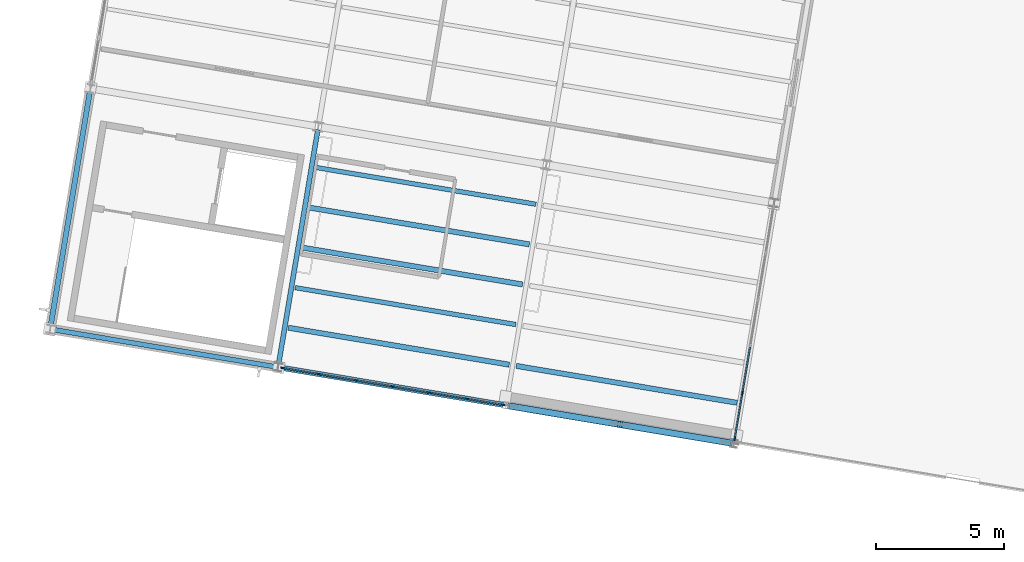
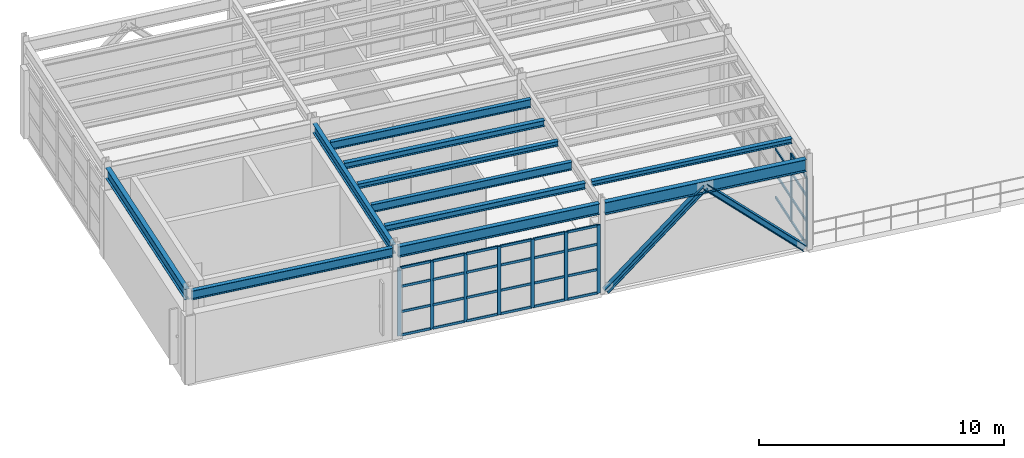
# One storey, part 23 of 59: 42 members, 11 beams, 2 elements without a shape of their own.
"""IFC4 building model written with IfcOpenShell, lengths in metres."""

from ifc_helpers import new_model, si_unit, direction, frame, origin, origin_2d, place, context, subcontext, project, spatial, rectangle, i_section, extrude, material, layer, layer_set, material_profile, profile_set, type_object, element, aggregate, save


model = new_model("IFC4")

# Units and contexts
model_context = context("Model", 3, precision=1e-05, world=origin(), true_north=direction((0.0, 1.0)))
body_context = subcontext(model_context, "Body", "Model", "MODEL_VIEW")
ifc_project = project(units=[si_unit("LENGTHUNIT", "METRE"), si_unit("AREAUNIT", "SQUARE_METRE"), si_unit("VOLUMEUNIT", "CUBIC_METRE"), si_unit("PLANEANGLEUNIT", "RADIAN"), si_unit("MASSUNIT", "GRAM", prefix="KILO")], contexts=[model_context])

# Site, building, storey
site_placement = place(None, origin())
site = spatial("IfcSite", under=ifc_project, at=site_placement, CompositionType="ELEMENT")
building_placement = place(site_placement, origin())
building = spatial("IfcBuilding", under=site, at=building_placement, Name="Vireo Bluff Cable Station", CompositionType="ELEMENT")
storey_placement = place(building_placement, frame((0.0, 0.0, 14.39990234375)))
storey = spatial("IfcBuildingStorey", under=building, at=storey_placement, Name="L03", CompositionType="ELEMENT", Elevation=14.39990234375)

# Beam
ifc_material_1 = material(Name="Steel ASTM A992 Gr. 50", Category="steel")
ifc_material_profile_1 = material_profile(ifc_material_1, i_section(OverallWidth=0.19091796875, OverallDepth=0.45703125, WebThickness=0.009033203125, FlangeThickness=0.014404296875, FilletRadius=0.011962890625, at=origin_2d()), Name="W18X50")
ifc_profile_set_1 = profile_set([ifc_material_profile_1], Name="Steel ASTM A992 Gr. 50")
beam_type_1 = type_object("IfcBeamType", Name="BM-W18X50", PredefinedType="BEAM", material=ifc_profile_set_1)
beam_1_placement = place(storey_placement, frame((15.96435546875, 79.502685546875, 4.271484375), z_axis=(0.165044536891, 0.986286115102, 0.0), x_axis=(-0.986286115102, 0.165044536891, 0.0)))
element("IfcBeam", 1, at=beam_1_placement, inside=storey, type_object=beam_type_1, Name="V4 L03 beam 1059", PredefinedType="BEAM", context=body_context, shape_type="SweptSolid", body=[
    extrude(i_section(OverallWidth=0.19091796875, OverallDepth=0.45703125, WebThickness=0.009033203125, FlangeThickness=0.014404296875, FilletRadius=0.011962890625, at=origin_2d()), origin(), (0.0, 0.0, 1.0), 9.260009765625),
])

# Members
ifc_material_profile_2 = material_profile(ifc_material_1, i_section(OverallWidth=0.2548828125, OverallDepth=0.256103515625, WebThickness=0.009521484375, FlangeThickness=0.015625, FilletRadius=0.009033203125, at=origin_2d()), Name="W10X54")
ifc_profile_set_2 = profile_set([ifc_material_profile_2], Name="Steel ASTM A992 Gr. 50")
member_type_1 = type_object("IfcMemberType", Name="BRC-02", PredefinedType="BRACE", material=ifc_profile_set_2)
member_1_placement = place(storey_placement, frame((24.97900390625, 77.87255859375, 0.0400390625), z_axis=(0.713630993831, -0.119426952766, 0.690266620659), x_axis=(0.16505578036, 0.98628423356, 0.0)))
element("IfcMember", 2, at=member_1_placement, inside=storey, type_object=member_type_1, Name="V4 L03 concentric brace 85L", PredefinedType="BRACE", context=body_context, shape_type="SweptSolid", body=[
    extrude(i_section(OverallWidth=0.2548828125, OverallDepth=0.256103515625, WebThickness=0.009521484375, FlangeThickness=0.015625, FilletRadius=0.009033203125, at=origin_2d()), origin(), (0.0, 0.0, 1.0), 5.997802734375),
])
ifc_material_profile_3 = material_profile(ifc_material_1, i_section(OverallWidth=0.257080078125, OverallDepth=0.263916015625, WebThickness=0.011962890625, FlangeThickness=0.01953125, FilletRadius=0.009033203125, at=origin_2d()), Name="W10X68")
ifc_profile_set_3 = profile_set([ifc_material_profile_3], Name="Steel ASTM A992 Gr. 50")
member_type_2 = type_object("IfcMemberType", Name="BRC-03", PredefinedType="BRACE", material=ifc_profile_set_3)
member_2_placement = place(storey_placement, frame((33.539794921875, 76.43994140625, 0.0400390625), z_axis=(-0.713650967905, 0.119423483707, 0.690246570109), x_axis=(-0.165046622801, -0.986285766044, 0.0)))
element("IfcMember", 3, at=member_2_placement, inside=storey, type_object=member_type_2, Name="V4 L03 concentric brace 86R", PredefinedType="BRACE", context=body_context, shape_type="SweptSolid", body=[
    extrude(i_section(OverallWidth=0.257080078125, OverallDepth=0.263916015625, WebThickness=0.011962890625, FlangeThickness=0.01953125, FilletRadius=0.009033203125, at=origin_2d()), origin(), (0.0, 0.0, 1.0), 5.998046875),
])

# Curtain wall, members
ifc_material_2 = material(Name="Anodized Aluminium 6063-T6", Category="aluminium")
ifc_layer_1 = layer(ifc_material_2, 0.179931640625, Name="Anodized Aluminium 6063-T6")
ifc_layer_set_1 = layer_set([ifc_layer_1], Name="Anodized Aluminium 6063-T6")
curtain_wall_type_1 = type_object("IfcCurtainWallType", Name="CW-UNIT-1500", PredefinedType="USERDEFINED", material=ifc_layer_set_1)
curtain_wall_1_placement = place(storey_placement, origin())
curtain_wall_1 = element("IfcCurtainWall", 4, at=curtain_wall_1_placement, inside=storey, type_object=curtain_wall_type_1, Name="V4 L03 south curtain wall CW-106", ObjectType="UNITISED CURTAIN WALL", PredefinedType="USERDEFINED")
ifc_material_profile_4 = material_profile(ifc_material_2, rectangle(XDim=0.06005859375, YDim=0.159912109375, at=origin_2d()), Name="ALU-M-60X160")
ifc_profile_set_4 = profile_set([ifc_material_profile_4], Name="Anodized Aluminium 6063-T6")
member_type_3 = type_object("IfcMemberType", Name="CWM-03", PredefinedType="MULLION", material=ifc_profile_set_4)
member_3_placement = place(storey_placement, frame((24.68896484375, 77.9208984375, 0.0), z_axis=(0.0, 0.0, 1.0), x_axis=(-0.165047656091, -0.986285593132, 0.0)))
member_3 = element("IfcMember", 5, at=member_3_placement, type_object=member_type_3, Name="CW-106 mullion 1", PredefinedType="MULLION", context=body_context, shape_type="SweptSolid", body=[
    extrude(rectangle(XDim=0.06005859375, YDim=0.159912109375, at=origin_2d()), origin(), (0.0, 0.0, 1.0), 3.400146484375),
])
member_4_placement = place(storey_placement, frame((23.281494140625, 78.156494140625, 0.0), z_axis=(0.0, 0.0, 1.0), x_axis=(-0.165047656091, -0.986285593132, 0.0)))
member_4 = element("IfcMember", 6, at=member_4_placement, type_object=member_type_3, Name="CW-106 mullion 2", PredefinedType="MULLION", context=body_context, shape_type="SweptSolid", body=[
    extrude(rectangle(XDim=0.06005859375, YDim=0.159912109375, at=origin_2d()), origin(), (0.0, 0.0, 1.0), 3.400146484375),
])
member_5_placement = place(storey_placement, frame((21.8447265625, 78.39697265625, 0.0), z_axis=(0.0, 0.0, 1.0), x_axis=(-0.165047656091, -0.986285593132, 0.0)))
member_5 = element("IfcMember", 7, at=member_5_placement, type_object=member_type_3, Name="CW-106 mullion 3", PredefinedType="MULLION", context=body_context, shape_type="SweptSolid", body=[
    extrude(rectangle(XDim=0.06005859375, YDim=0.159912109375, at=origin_2d()), origin(), (0.0, 0.0, 1.0), 3.400146484375),
])
member_6_placement = place(storey_placement, frame((20.40771484375, 78.637451171875, 0.0), z_axis=(0.0, 0.0, 1.0), x_axis=(-0.165047656091, -0.986285593132, 0.0)))
member_6 = element("IfcMember", 8, at=member_6_placement, type_object=member_type_3, Name="CW-106 mullion 4", PredefinedType="MULLION", context=body_context, shape_type="SweptSolid", body=[
    extrude(rectangle(XDim=0.06005859375, YDim=0.159912109375, at=origin_2d()), origin(), (0.0, 0.0, 1.0), 3.400146484375),
])
member_7_placement = place(storey_placement, frame((18.970703125, 78.8779296875, 0.0), z_axis=(0.0, 0.0, 1.0), x_axis=(-0.165047656091, -0.986285593132, 0.0)))
member_7 = element("IfcMember", 9, at=member_7_placement, type_object=member_type_3, Name="CW-106 mullion 5", PredefinedType="MULLION", context=body_context, shape_type="SweptSolid", body=[
    extrude(rectangle(XDim=0.06005859375, YDim=0.159912109375, at=origin_2d()), origin(), (0.0, 0.0, 1.0), 3.400146484375),
])
member_8_placement = place(storey_placement, frame((17.533935546875, 79.118408203125, 0.0), z_axis=(0.0, 0.0, 1.0), x_axis=(-0.165047656091, -0.986285593132, 0.0)))
member_8 = element("IfcMember", 10, at=member_8_placement, type_object=member_type_3, Name="CW-106 mullion 6", PredefinedType="MULLION", context=body_context, shape_type="SweptSolid", body=[
    extrude(rectangle(XDim=0.06005859375, YDim=0.159912109375, at=origin_2d()), origin(), (0.0, 0.0, 1.0), 3.400146484375),
])
member_9_placement = place(storey_placement, frame((16.12646484375, 79.353759765625, 0.0), z_axis=(0.0, 0.0, 1.0), x_axis=(-0.165047656091, -0.986285593132, 0.0)))
member_9 = element("IfcMember", 11, at=member_9_placement, type_object=member_type_3, Name="CW-106 mullion 7", PredefinedType="MULLION", context=body_context, shape_type="SweptSolid", body=[
    extrude(rectangle(XDim=0.06005859375, YDim=0.159912109375, at=origin_2d()), origin(), (0.0, 0.0, 1.0), 3.400146484375),
])

ifc_layer_2 = layer(ifc_material_2, 0.159912109375, Name="Anodized Aluminium 6063-T6")
ifc_layer_set_2 = layer_set([ifc_layer_2], Name="Anodized Aluminium 6063-T6")
curtain_wall_type_2 = type_object("IfcCurtainWallType", Name="CW-STICK-1750", PredefinedType="USERDEFINED", material=ifc_layer_set_2)
curtain_wall_2_placement = place(storey_placement, origin())
curtain_wall_2 = element("IfcCurtainWall", 12, at=curtain_wall_2_placement, inside=storey, type_object=curtain_wall_type_2, Name="V4 L03 east curtain wall CW-110", ObjectType="STICK CURTAIN WALL", PredefinedType="USERDEFINED")
member_10_placement = place(storey_placement, frame((34.026611328125, 78.37890625, 0.0), z_axis=(0.0, 0.0, 1.0), x_axis=(0.986285602456, -0.165047600369, 0.0)))
member_10 = element("IfcMember", 13, at=member_10_placement, type_object=member_type_3, Name="CW-110 mullion 5", PredefinedType="MULLION", context=body_context, shape_type="SweptSolid", body=[
    extrude(rectangle(XDim=0.06005859375, YDim=0.159912109375, at=origin_2d()), origin(), (0.0, 0.0, 1.0), 3.400146484375),
])
member_11_placement = place(storey_placement, frame((33.728271484375, 76.595947265625, 0.0), z_axis=(0.0, 0.0, 1.0), x_axis=(0.986285602456, -0.165047600369, 0.0)))
member_11 = element("IfcMember", 14, at=member_11_placement, type_object=member_type_3, Name="CW-110 mullion 6", PredefinedType="MULLION", context=body_context, shape_type="SweptSolid", body=[
    extrude(rectangle(XDim=0.06005859375, YDim=0.159912109375, at=origin_2d()), origin(), (0.0, 0.0, 1.0), 3.400146484375),
])

# Member
ifc_material_profile_5 = material_profile(ifc_material_2, rectangle(XDim=0.06005859375, YDim=0.1201171875, at=origin_2d()), Name="ALU-T-60X120")
ifc_profile_set_5 = profile_set([ifc_material_profile_5], Name="Anodized Aluminium 6063-T6")
member_type_4 = type_object("IfcMemberType", Name="CWT-03", PredefinedType="USERDEFINED", material=ifc_profile_set_5)
member_12_placement = place(storey_placement, frame((24.659423828125, 77.926025390625, 0.030029296875), z_axis=(-0.986287517142, 0.165036158247, 0.0), x_axis=(-0.165036158247, -0.986287517142, 0.0)))
member_12 = element("IfcMember", 15, at=member_12_placement, type_object=member_type_4, Name="CW-106 transom 1.1", ObjectType="TRANSOM", PredefinedType="USERDEFINED", context=body_context, shape_type="SweptSolid", body=[
    extrude(rectangle(XDim=0.06005859375, YDim=0.1201171875, at=origin_2d()), origin(), (0.0, 0.0, 1.0), 1.366943359375),
])

member_13_placement = place(storey_placement, frame((24.659423828125, 77.926025390625, 1.190185546875), z_axis=(-0.986287517142, 0.165036158247, 0.0), x_axis=(-0.165036158247, -0.986287517142, 0.0)))
member_13 = element("IfcMember", 16, at=member_13_placement, type_object=member_type_4, Name="CW-106 transom 1.2", ObjectType="TRANSOM", PredefinedType="USERDEFINED", context=body_context, shape_type="SweptSolid", body=[
    extrude(rectangle(XDim=0.06005859375, YDim=0.1201171875, at=origin_2d()), origin(), (0.0, 0.0, 1.0), 1.366943359375),
])

member_14_placement = place(storey_placement, frame((24.659423828125, 77.926025390625, 2.447998046875), z_axis=(-0.986287517142, 0.165036158247, 0.0), x_axis=(-0.165036158247, -0.986287517142, 0.0)))
member_14 = element("IfcMember", 17, at=member_14_placement, type_object=member_type_4, Name="CW-106 transom 1.3", ObjectType="TRANSOM", PredefinedType="USERDEFINED", context=body_context, shape_type="SweptSolid", body=[
    extrude(rectangle(XDim=0.06005859375, YDim=0.1201171875, at=origin_2d()), origin(), (0.0, 0.0, 1.0), 1.366943359375),
])

member_15_placement = place(storey_placement, frame((24.659423828125, 77.926025390625, 3.3701171875), z_axis=(-0.986287517142, 0.165036158247, 0.0), x_axis=(-0.165036158247, -0.986287517142, 0.0)))
member_15 = element("IfcMember", 18, at=member_15_placement, type_object=member_type_4, Name="CW-106 transom 1.4", ObjectType="TRANSOM", PredefinedType="USERDEFINED", context=body_context, shape_type="SweptSolid", body=[
    extrude(rectangle(XDim=0.06005859375, YDim=0.1201171875, at=origin_2d()), origin(), (0.0, 0.0, 1.0), 1.366943359375),
])

member_16_placement = place(storey_placement, frame((23.251953125, 78.161376953125, 0.030029296875), z_axis=(-0.986266087092, 0.165164177264, 0.0), x_axis=(-0.165164177264, -0.986266087092, 0.0)))
member_16 = element("IfcMember", 19, at=member_16_placement, type_object=member_type_4, Name="CW-106 transom 2.1", ObjectType="TRANSOM", PredefinedType="USERDEFINED", context=body_context, shape_type="SweptSolid", body=[
    extrude(rectangle(XDim=0.06005859375, YDim=0.1201171875, at=origin_2d()), origin(), (0.0, 0.0, 1.0), 1.39697265625),
])

member_17_placement = place(storey_placement, frame((23.251953125, 78.161376953125, 1.190185546875), z_axis=(-0.986266087092, 0.165164177264, 0.0), x_axis=(-0.165164177264, -0.986266087092, 0.0)))
member_17 = element("IfcMember", 20, at=member_17_placement, type_object=member_type_4, Name="CW-106 transom 2.2", ObjectType="TRANSOM", PredefinedType="USERDEFINED", context=body_context, shape_type="SweptSolid", body=[
    extrude(rectangle(XDim=0.06005859375, YDim=0.1201171875, at=origin_2d()), origin(), (0.0, 0.0, 1.0), 1.39697265625),
])

member_18_placement = place(storey_placement, frame((23.251953125, 78.161376953125, 2.447998046875), z_axis=(-0.986266087092, 0.165164177264, 0.0), x_axis=(-0.165164177264, -0.986266087092, 0.0)))
member_18 = element("IfcMember", 21, at=member_18_placement, type_object=member_type_4, Name="CW-106 transom 2.3", ObjectType="TRANSOM", PredefinedType="USERDEFINED", context=body_context, shape_type="SweptSolid", body=[
    extrude(rectangle(XDim=0.06005859375, YDim=0.1201171875, at=origin_2d()), origin(), (0.0, 0.0, 1.0), 1.39697265625),
])

member_19_placement = place(storey_placement, frame((23.251953125, 78.161376953125, 3.3701171875), z_axis=(-0.986266087092, 0.165164177264, 0.0), x_axis=(-0.165164177264, -0.986266087092, 0.0)))
member_19 = element("IfcMember", 22, at=member_19_placement, type_object=member_type_4, Name="CW-106 transom 2.4", ObjectType="TRANSOM", PredefinedType="USERDEFINED", context=body_context, shape_type="SweptSolid", body=[
    extrude(rectangle(XDim=0.06005859375, YDim=0.1201171875, at=origin_2d()), origin(), (0.0, 0.0, 1.0), 1.39697265625),
])

member_20_placement = place(storey_placement, frame((21.81494140625, 78.40185546875, 0.030029296875), z_axis=(-0.986266087092, 0.165164177264, 0.0), x_axis=(-0.165164177264, -0.986266087092, 0.0)))
member_20 = element("IfcMember", 23, at=member_20_placement, type_object=member_type_4, Name="CW-106 transom 3.1", ObjectType="TRANSOM", PredefinedType="USERDEFINED", context=body_context, shape_type="SweptSolid", body=[
    extrude(rectangle(XDim=0.06005859375, YDim=0.1201171875, at=origin_2d()), origin(), (0.0, 0.0, 1.0), 1.39697265625),
])

member_21_placement = place(storey_placement, frame((21.81494140625, 78.40185546875, 1.190185546875), z_axis=(-0.986266087092, 0.165164177264, 0.0), x_axis=(-0.165164177264, -0.986266087092, 0.0)))
member_21 = element("IfcMember", 24, at=member_21_placement, type_object=member_type_4, Name="CW-106 transom 3.2", ObjectType="TRANSOM", PredefinedType="USERDEFINED", context=body_context, shape_type="SweptSolid", body=[
    extrude(rectangle(XDim=0.06005859375, YDim=0.1201171875, at=origin_2d()), origin(), (0.0, 0.0, 1.0), 1.39697265625),
])

member_22_placement = place(storey_placement, frame((21.81494140625, 78.40185546875, 2.447998046875), z_axis=(-0.986266087092, 0.165164177264, 0.0), x_axis=(-0.165164177264, -0.986266087092, 0.0)))
member_22 = element("IfcMember", 25, at=member_22_placement, type_object=member_type_4, Name="CW-106 transom 3.3", ObjectType="TRANSOM", PredefinedType="USERDEFINED", context=body_context, shape_type="SweptSolid", body=[
    extrude(rectangle(XDim=0.06005859375, YDim=0.1201171875, at=origin_2d()), origin(), (0.0, 0.0, 1.0), 1.39697265625),
])

member_23_placement = place(storey_placement, frame((21.81494140625, 78.40185546875, 3.3701171875), z_axis=(-0.986266087092, 0.165164177264, 0.0), x_axis=(-0.165164177264, -0.986266087092, 0.0)))
member_23 = element("IfcMember", 26, at=member_23_placement, type_object=member_type_4, Name="CW-106 transom 3.4", ObjectType="TRANSOM", PredefinedType="USERDEFINED", context=body_context, shape_type="SweptSolid", body=[
    extrude(rectangle(XDim=0.06005859375, YDim=0.1201171875, at=origin_2d()), origin(), (0.0, 0.0, 1.0), 1.39697265625),
])

member_24_placement = place(storey_placement, frame((20.378173828125, 78.642333984375, 0.030029296875), z_axis=(-0.986299300561, 0.164965722844, 0.0), x_axis=(-0.164965722844, -0.986299300561, 0.0)))
member_24 = element("IfcMember", 27, at=member_24_placement, type_object=member_type_4, Name="CW-106 transom 4.1", ObjectType="TRANSOM", PredefinedType="USERDEFINED", context=body_context, shape_type="SweptSolid", body=[
    extrude(rectangle(XDim=0.06005859375, YDim=0.1201171875, at=origin_2d()), origin(), (0.0, 0.0, 1.0), 1.39697265625),
])

member_25_placement = place(storey_placement, frame((20.378173828125, 78.642333984375, 1.190185546875), z_axis=(-0.986299300561, 0.164965722844, 0.0), x_axis=(-0.164965722844, -0.986299300561, 0.0)))
member_25 = element("IfcMember", 28, at=member_25_placement, type_object=member_type_4, Name="CW-106 transom 4.2", ObjectType="TRANSOM", PredefinedType="USERDEFINED", context=body_context, shape_type="SweptSolid", body=[
    extrude(rectangle(XDim=0.06005859375, YDim=0.1201171875, at=origin_2d()), origin(), (0.0, 0.0, 1.0), 1.39697265625),
])

member_26_placement = place(storey_placement, frame((20.378173828125, 78.642333984375, 2.447998046875), z_axis=(-0.986299300561, 0.164965722844, 0.0), x_axis=(-0.164965722844, -0.986299300561, 0.0)))
member_26 = element("IfcMember", 29, at=member_26_placement, type_object=member_type_4, Name="CW-106 transom 4.3", ObjectType="TRANSOM", PredefinedType="USERDEFINED", context=body_context, shape_type="SweptSolid", body=[
    extrude(rectangle(XDim=0.06005859375, YDim=0.1201171875, at=origin_2d()), origin(), (0.0, 0.0, 1.0), 1.39697265625),
])

member_27_placement = place(storey_placement, frame((20.378173828125, 78.642333984375, 3.3701171875), z_axis=(-0.986299300561, 0.164965722844, 0.0), x_axis=(-0.164965722844, -0.986299300561, 0.0)))
member_27 = element("IfcMember", 30, at=member_27_placement, type_object=member_type_4, Name="CW-106 transom 4.4", ObjectType="TRANSOM", PredefinedType="USERDEFINED", context=body_context, shape_type="SweptSolid", body=[
    extrude(rectangle(XDim=0.06005859375, YDim=0.1201171875, at=origin_2d()), origin(), (0.0, 0.0, 1.0), 1.39697265625),
])

member_28_placement = place(storey_placement, frame((18.941162109375, 78.8828125, 0.030029296875), z_axis=(-0.986294543689, 0.164994160773, 0.0), x_axis=(-0.164994160773, -0.986294543689, 0.0)))
member_28 = element("IfcMember", 31, at=member_28_placement, type_object=member_type_4, Name="CW-106 transom 5.1", ObjectType="TRANSOM", PredefinedType="USERDEFINED", context=body_context, shape_type="SweptSolid", body=[
    extrude(rectangle(XDim=0.06005859375, YDim=0.1201171875, at=origin_2d()), origin(), (0.0, 0.0, 1.0), 1.396728515625),
])

member_29_placement = place(storey_placement, frame((18.941162109375, 78.8828125, 1.190185546875), z_axis=(-0.986294543689, 0.164994160773, 0.0), x_axis=(-0.164994160773, -0.986294543689, 0.0)))
member_29 = element("IfcMember", 32, at=member_29_placement, type_object=member_type_4, Name="CW-106 transom 5.2", ObjectType="TRANSOM", PredefinedType="USERDEFINED", context=body_context, shape_type="SweptSolid", body=[
    extrude(rectangle(XDim=0.06005859375, YDim=0.1201171875, at=origin_2d()), origin(), (0.0, 0.0, 1.0), 1.396728515625),
])

member_30_placement = place(storey_placement, frame((18.941162109375, 78.8828125, 2.447998046875), z_axis=(-0.986294543689, 0.164994160773, 0.0), x_axis=(-0.164994160773, -0.986294543689, 0.0)))
member_30 = element("IfcMember", 33, at=member_30_placement, type_object=member_type_4, Name="CW-106 transom 5.3", ObjectType="TRANSOM", PredefinedType="USERDEFINED", context=body_context, shape_type="SweptSolid", body=[
    extrude(rectangle(XDim=0.06005859375, YDim=0.1201171875, at=origin_2d()), origin(), (0.0, 0.0, 1.0), 1.396728515625),
])

member_31_placement = place(storey_placement, frame((18.941162109375, 78.8828125, 3.3701171875), z_axis=(-0.986294543689, 0.164994160773, 0.0), x_axis=(-0.164994160773, -0.986294543689, 0.0)))
member_31 = element("IfcMember", 34, at=member_31_placement, type_object=member_type_4, Name="CW-106 transom 5.4", ObjectType="TRANSOM", PredefinedType="USERDEFINED", context=body_context, shape_type="SweptSolid", body=[
    extrude(rectangle(XDim=0.06005859375, YDim=0.1201171875, at=origin_2d()), origin(), (0.0, 0.0, 1.0), 1.396728515625),
])

member_32_placement = place(storey_placement, frame((17.504150390625, 79.123291015625, 0.030029296875), z_axis=(-0.986287517142, 0.165036158247, 0.0), x_axis=(-0.165036158247, -0.986287517142, 0.0)))
member_32 = element("IfcMember", 35, at=member_32_placement, type_object=member_type_4, Name="CW-106 transom 6.1", ObjectType="TRANSOM", PredefinedType="USERDEFINED", context=body_context, shape_type="SweptSolid", body=[
    extrude(rectangle(XDim=0.06005859375, YDim=0.1201171875, at=origin_2d()), origin(), (0.0, 0.0, 1.0), 1.366943359375),
])

member_33_placement = place(storey_placement, frame((17.504150390625, 79.123291015625, 1.190185546875), z_axis=(-0.986287517142, 0.165036158247, 0.0), x_axis=(-0.165036158247, -0.986287517142, 0.0)))
member_33 = element("IfcMember", 36, at=member_33_placement, type_object=member_type_4, Name="CW-106 transom 6.2", ObjectType="TRANSOM", PredefinedType="USERDEFINED", context=body_context, shape_type="SweptSolid", body=[
    extrude(rectangle(XDim=0.06005859375, YDim=0.1201171875, at=origin_2d()), origin(), (0.0, 0.0, 1.0), 1.366943359375),
])

member_34_placement = place(storey_placement, frame((17.504150390625, 79.123291015625, 2.447998046875), z_axis=(-0.986287517142, 0.165036158247, 0.0), x_axis=(-0.165036158247, -0.986287517142, 0.0)))
member_34 = element("IfcMember", 37, at=member_34_placement, type_object=member_type_4, Name="CW-106 transom 6.3", ObjectType="TRANSOM", PredefinedType="USERDEFINED", context=body_context, shape_type="SweptSolid", body=[
    extrude(rectangle(XDim=0.06005859375, YDim=0.1201171875, at=origin_2d()), origin(), (0.0, 0.0, 1.0), 1.366943359375),
])

member_35_placement = place(storey_placement, frame((17.504150390625, 79.123291015625, 3.3701171875), z_axis=(-0.986287517142, 0.165036158247, 0.0), x_axis=(-0.165036158247, -0.986287517142, 0.0)))
member_35 = element("IfcMember", 38, at=member_35_placement, type_object=member_type_4, Name="CW-106 transom 6.4", ObjectType="TRANSOM", PredefinedType="USERDEFINED", context=body_context, shape_type="SweptSolid", body=[
    extrude(rectangle(XDim=0.06005859375, YDim=0.1201171875, at=origin_2d()), origin(), (0.0, 0.0, 1.0), 1.366943359375),
])

aggregate(curtain_wall_1, [member_3, member_4, member_5, member_6, member_7, member_8, member_9, member_12, member_13, member_14, member_15, member_16, member_17, member_18, member_19, member_20, member_21, member_22, member_23, member_24, member_25, member_26, member_27, member_28, member_29, member_30, member_31, member_32, member_33, member_34, member_35])

member_36_placement = place(storey_placement, frame((34.324951171875, 80.162109375, 0.030029296875), z_axis=(-0.165067026786, -0.986282351392, 0.0), x_axis=(0.986282351392, -0.165067026786, 0.0)))
member_36 = element("IfcMember", 39, at=member_36_placement, type_object=member_type_4, Name="CW-110 transom 4.1", ObjectType="TRANSOM", PredefinedType="USERDEFINED", context=body_context, shape_type="SweptSolid", body=[
    extrude(rectangle(XDim=0.06005859375, YDim=0.1201171875, at=origin_2d()), origin(), (0.0, 0.0, 1.0), 1.77783203125),
])

member_37_placement = place(storey_placement, frame((34.324951171875, 80.162109375, 1.190185546875), z_axis=(-0.165067026786, -0.986282351392, 0.0), x_axis=(0.986282351392, -0.165067026786, 0.0)))
member_37 = element("IfcMember", 40, at=member_37_placement, type_object=member_type_4, Name="CW-110 transom 4.2", ObjectType="TRANSOM", PredefinedType="USERDEFINED", context=body_context, shape_type="SweptSolid", body=[
    extrude(rectangle(XDim=0.06005859375, YDim=0.1201171875, at=origin_2d()), origin(), (0.0, 0.0, 1.0), 1.77783203125),
])

member_38_placement = place(storey_placement, frame((34.324951171875, 80.162109375, 2.447998046875), z_axis=(-0.165067026786, -0.986282351392, 0.0), x_axis=(0.986282351392, -0.165067026786, 0.0)))
member_38 = element("IfcMember", 41, at=member_38_placement, type_object=member_type_4, Name="CW-110 transom 4.3", ObjectType="TRANSOM", PredefinedType="USERDEFINED", context=body_context, shape_type="SweptSolid", body=[
    extrude(rectangle(XDim=0.06005859375, YDim=0.1201171875, at=origin_2d()), origin(), (0.0, 0.0, 1.0), 1.77783203125),
])

member_39_placement = place(storey_placement, frame((34.021728515625, 78.349365234375, 0.030029296875), z_axis=(-0.165101118056, -0.986276645174, 0.0), x_axis=(0.986276645174, -0.165101118056, 0.0)))
member_39 = element("IfcMember", 42, at=member_39_placement, type_object=member_type_4, Name="CW-110 transom 5.1", ObjectType="TRANSOM", PredefinedType="USERDEFINED", context=body_context, shape_type="SweptSolid", body=[
    extrude(rectangle(XDim=0.06005859375, YDim=0.1201171875, at=origin_2d()), origin(), (0.0, 0.0, 1.0), 1.747802734375),
])

member_40_placement = place(storey_placement, frame((34.021728515625, 78.349365234375, 1.190185546875), z_axis=(-0.165101118056, -0.986276645174, 0.0), x_axis=(0.986276645174, -0.165101118056, 0.0)))
member_40 = element("IfcMember", 43, at=member_40_placement, type_object=member_type_4, Name="CW-110 transom 5.2", ObjectType="TRANSOM", PredefinedType="USERDEFINED", context=body_context, shape_type="SweptSolid", body=[
    extrude(rectangle(XDim=0.06005859375, YDim=0.1201171875, at=origin_2d()), origin(), (0.0, 0.0, 1.0), 1.747802734375),
])

member_41_placement = place(storey_placement, frame((34.021728515625, 78.349365234375, 2.447998046875), z_axis=(-0.165101118056, -0.986276645174, 0.0), x_axis=(0.986276645174, -0.165101118056, 0.0)))
member_41 = element("IfcMember", 44, at=member_41_placement, type_object=member_type_4, Name="CW-110 transom 5.3", ObjectType="TRANSOM", PredefinedType="USERDEFINED", context=body_context, shape_type="SweptSolid", body=[
    extrude(rectangle(XDim=0.06005859375, YDim=0.1201171875, at=origin_2d()), origin(), (0.0, 0.0, 1.0), 1.747802734375),
])

member_42_placement = place(storey_placement, frame((34.021728515625, 78.349365234375, 3.3701171875), z_axis=(-0.165101118056, -0.986276645174, 0.0), x_axis=(0.986276645174, -0.165101118056, 0.0)))
member_42 = element("IfcMember", 45, at=member_42_placement, type_object=member_type_4, Name="CW-110 transom 5.4", ObjectType="TRANSOM", PredefinedType="USERDEFINED", context=body_context, shape_type="SweptSolid", body=[
    extrude(rectangle(XDim=0.06005859375, YDim=0.1201171875, at=origin_2d()), origin(), (0.0, 0.0, 1.0), 1.747802734375),
])

aggregate(curtain_wall_2, [member_10, member_11, member_36, member_37, member_38, member_39, member_40, member_41, member_42])

# Beams
ifc_material_profile_6 = material_profile(ifc_material_1, i_section(OverallWidth=0.201904296875, OverallDepth=0.2470703125, WebThickness=0.00732421875, FlangeThickness=0.010986328125, FilletRadius=0.009033203125, at=origin_2d()), Name="W10X33")
ifc_profile_set_6 = profile_set([ifc_material_profile_6], Name="Steel ASTM A992 Gr. 50")
beam_type_2 = type_object("IfcBeamType", Name="JST-W10X33", PredefinedType="JOIST", material=ifc_profile_set_6)
for number, where, z_axis, x_axis, name in (
    (46, (16.86669921875, 84.046142578125, 4.376708984375), (0.98628550168, -0.165048202583, 0.0), (0.165048202583, 0.98628550168, 0.0), "V4 L03 composite joist 1072"),
    (47, (25.220458984375, 79.437255859375, 4.376708984375), (0.98628550168, -0.165048202583, 0.0), (0.165048202583, 0.98628550168, 0.0), "V4 L03 composite joist 1080"),
):
    element("IfcBeam", number, at=place(storey_placement, frame(where, z_axis=z_axis, x_axis=x_axis)), inside=storey, type_object=beam_type_2, Name=name, PredefinedType="JOIST", context=body_context, shape_type="SweptSolid", body=[
        extrude(i_section(OverallWidth=0.201904296875, OverallDepth=0.2470703125, WebThickness=0.00732421875, FlangeThickness=0.010986328125, FilletRadius=0.009033203125, at=origin_2d()), origin(), (0.0, 0.0, 1.0), 8.719970703125),
    ])
ifc_material_profile_7 = material_profile(ifc_material_1, i_section(OverallWidth=0.202880859375, OverallDepth=0.302978515625, WebThickness=0.007568359375, FlangeThickness=0.01318359375, FilletRadius=0.010009765625, at=origin_2d()), Name="W12X40")
ifc_profile_set_7 = profile_set([ifc_material_profile_7], Name="Steel ASTM A992 Gr. 50")
beam_type_3 = type_object("IfcBeamType", Name="JST-W12X40", PredefinedType="JOIST", material=ifc_profile_set_7)
for number, where, z_axis, x_axis, name in (
    (48, (16.343994140625, 80.9228515625, 4.3486328125), (0.98628550168, -0.165048202583, 0.0), (0.165048202583, 0.98628550168, 0.0), "V4 L03 composite joist 1070"),
    (49, (17.1279296875, 85.607666015625, 4.3486328125), (0.98628550168, -0.165048202583, 0.0), (0.165048202583, 0.98628550168, 0.0), "V4 L03 composite joist 1073"),
):
    element("IfcBeam", number, at=place(storey_placement, frame(where, z_axis=z_axis, x_axis=x_axis)), inside=storey, type_object=beam_type_3, Name=name, PredefinedType="JOIST", context=body_context, shape_type="SweptSolid", body=[
        extrude(i_section(OverallWidth=0.202880859375, OverallDepth=0.302978515625, WebThickness=0.007568359375, FlangeThickness=0.01318359375, FilletRadius=0.010009765625, at=origin_2d()), origin(), (0.0, 0.0, 1.0), 8.719970703125),
    ])
ifc_material_profile_8 = material_profile(ifc_material_1, i_section(OverallWidth=0.177978515625, OverallDepth=0.404052734375, WebThickness=0.007568359375, FlangeThickness=0.010986328125, FilletRadius=0.010009765625, at=origin_2d()), Name="W16X36")
ifc_profile_set_8 = profile_set([ifc_material_profile_8], Name="Steel ASTM A992 Gr. 50")
beam_type_4 = type_object("IfcBeamType", Name="JST-W16X36", PredefinedType="JOIST", material=ifc_profile_set_8)
beam_2_placement = place(storey_placement, frame((16.605224609375, 82.484375, 4.298095703125), z_axis=(0.98628550168, -0.165048202583, 0.0), x_axis=(0.165048202583, 0.98628550168, 0.0)))
element("IfcBeam", 50, at=beam_2_placement, inside=storey, type_object=beam_type_4, Name="V4 L03 composite joist 1071", PredefinedType="JOIST", context=body_context, shape_type="SweptSolid", body=[
    extrude(i_section(OverallWidth=0.177978515625, OverallDepth=0.404052734375, WebThickness=0.007568359375, FlangeThickness=0.010986328125, FilletRadius=0.010009765625, at=origin_2d()), origin(), (0.0, 0.0, 1.0), 8.719970703125),
])
beam_3_placement = place(storey_placement, frame((17.38916015625, 87.169189453125, 4.298095703125), z_axis=(0.986286264339, -0.165043645063, 0.0), x_axis=(0.165043645063, 0.986286264339, 0.0)))
element("IfcBeam", 51, at=beam_3_placement, inside=storey, type_object=beam_type_4, Name="V4 L03 composite joist 1074", PredefinedType="JOIST", context=body_context, shape_type="SweptSolid", body=[
    extrude(i_section(OverallWidth=0.177978515625, OverallDepth=0.404052734375, WebThickness=0.007568359375, FlangeThickness=0.010986328125, FilletRadius=0.010009765625, at=origin_2d()), origin(), (0.0, 0.0, 1.0), 8.72021484375),
])
ifc_material_profile_9 = material_profile(ifc_material_1, i_section(OverallWidth=0.19091796875, OverallDepth=0.45703125, WebThickness=0.009033203125, FlangeThickness=0.014404296875, FilletRadius=0.011962890625, at=origin_2d()), Name="W18X50")
ifc_profile_set_9 = profile_set([ifc_material_profile_9], Name="Steel ASTM A992 Gr. 50")
beam_type_5 = type_object("IfcBeamType", Name="SPN-W18X50", PredefinedType="SPANDREL", material=ifc_profile_set_9)
beam_4_placement = place(storey_placement, frame((7.186279296875, 80.849853515625, 4.271484375), z_axis=(0.986285998922, -0.165045231163, 0.0), x_axis=(0.165045231163, 0.986285998922, 0.0)))
element("IfcBeam", 52, at=beam_4_placement, inside=storey, type_object=beam_type_5, Name="V4 L03 spandrel 1048", PredefinedType="SPANDREL", context=body_context, shape_type="SweptSolid", body=[
    extrude(i_section(OverallWidth=0.19091796875, OverallDepth=0.45703125, WebThickness=0.009033203125, FlangeThickness=0.014404296875, FilletRadius=0.011962890625, at=origin_2d()), origin(), (0.0, 0.0, 1.0), 8.760009765625),
])
ifc_material_profile_10 = material_profile(ifc_material_1, i_section(OverallWidth=0.2099609375, OverallDepth=0.535888671875, WebThickness=0.010986328125, FlangeThickness=0.017333984375, FilletRadius=0.012939453125, at=origin_2d()), Name="W21X68")
ifc_profile_set_10 = profile_set([ifc_material_profile_10], Name="Steel ASTM A992 Gr. 50")
beam_type_6 = type_object("IfcBeamType", Name="SPN-W21X68", PredefinedType="SPANDREL", material=ifc_profile_set_10)
beam_5_placement = place(storey_placement, frame((16.06298828125, 79.364501953125, 4.232177734375), z_axis=(0.986285239719, -0.16504976799, 0.0), x_axis=(0.16504976799, 0.986285239719, 0.0)))
element("IfcBeam", 53, at=beam_5_placement, inside=storey, type_object=beam_type_6, Name="V4 L03 spandrel 1049", PredefinedType="SPANDREL", context=body_context, shape_type="SweptSolid", body=[
    extrude(i_section(OverallWidth=0.2099609375, OverallDepth=0.535888671875, WebThickness=0.010986328125, FlangeThickness=0.017333984375, FilletRadius=0.012939453125, at=origin_2d()), origin(), (0.0, 0.0, 1.0), 8.759765625),
])
beam_6_placement = place(storey_placement, frame((7.087646484375, 80.988037109375, 4.232177734375), z_axis=(0.165070183492, 0.986281823072, 0.0), x_axis=(-0.986281823072, 0.165070183492, 0.0)))
element("IfcBeam", 54, at=beam_6_placement, inside=storey, type_object=beam_type_6, Name="V4 L03 spandrel 1057", PredefinedType="SPANDREL", context=body_context, shape_type="SweptSolid", body=[
    extrude(i_section(OverallWidth=0.2099609375, OverallDepth=0.535888671875, WebThickness=0.010986328125, FlangeThickness=0.017333984375, FilletRadius=0.012939453125, at=origin_2d()), origin(), (0.0, 0.0, 1.0), 9.260009765625),
])
ifc_material_profile_11 = material_profile(ifc_material_1, i_section(OverallWidth=0.22802734375, OverallDepth=0.60693359375, WebThickness=0.01123046875, FlangeThickness=0.017333984375, FilletRadius=0.012939453125, at=origin_2d()), Name="W24X76")
ifc_profile_set_11 = profile_set([ifc_material_profile_11], Name="Steel ASTM A992 Gr. 50")
beam_type_7 = type_object("IfcBeamType", Name="SPN-W24X76", PredefinedType="SPANDREL", material=ifc_profile_set_11)
beam_7_placement = place(storey_placement, frame((24.939453125, 77.879150390625, 4.196533203125), z_axis=(0.986285998922, -0.165045231163, 0.0), x_axis=(0.165045231163, 0.986285998922, 0.0)))
element("IfcBeam", 55, at=beam_7_placement, inside=storey, type_object=beam_type_7, Name="V4 L03 spandrel 1050", PredefinedType="SPANDREL", context=body_context, shape_type="SweptSolid", body=[
    extrude(i_section(OverallWidth=0.22802734375, OverallDepth=0.60693359375, WebThickness=0.01123046875, FlangeThickness=0.017333984375, FilletRadius=0.012939453125, at=origin_2d()), origin(), (0.0, 0.0, 1.0), 8.760009765625),
])

save(model, "model.ifc")
